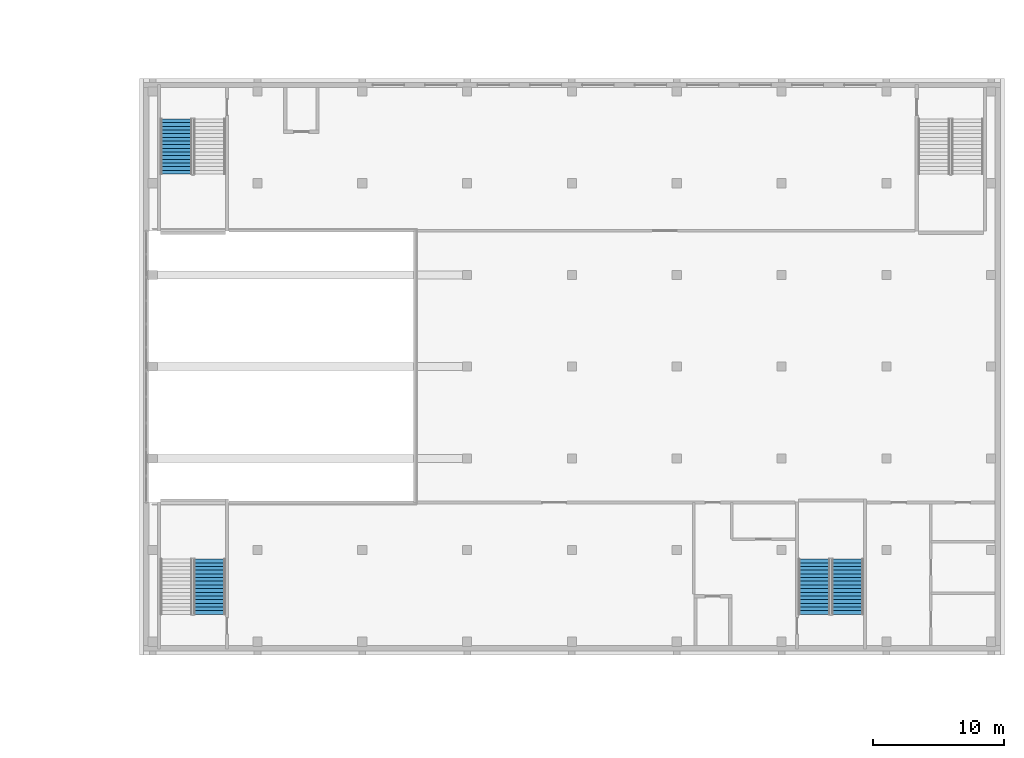
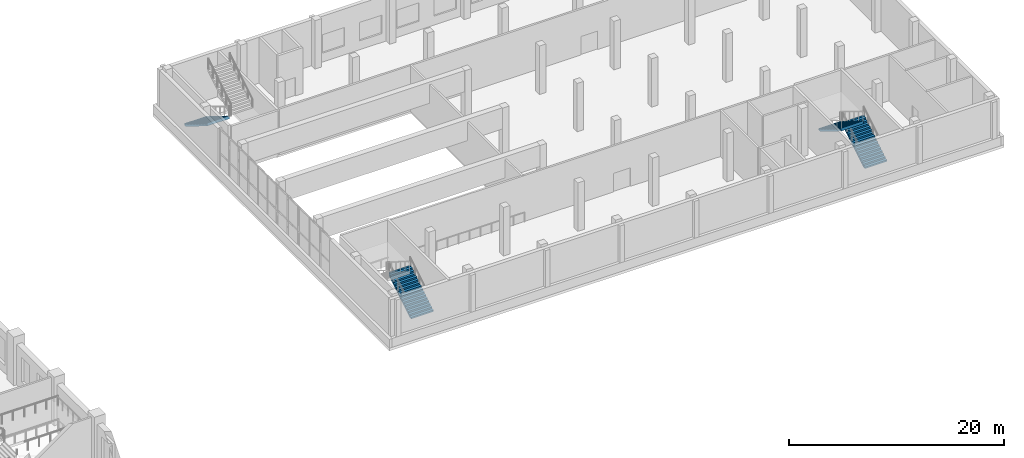
# One storey, part 22 of 35: 4 stair flights, 3 elements without a shape of their own.
"""IFC4 building model written with IfcOpenShell, lengths in metres."""

from ifc_helpers import new_model, si_unit, direction, frame, origin, place, context, subcontext, project, spatial, polyline, outline, extrude, material, type_object, element, aggregate, save


model = new_model("IFC4")

# Units and contexts
model_context = context("Model", 3, precision=1e-05, world=origin(), true_north=direction((0.0, 1.0)))
body_context = subcontext(model_context, "Body", "Model", "MODEL_VIEW")
ifc_project = project(units=[si_unit("LENGTHUNIT", "METRE"), si_unit("AREAUNIT", "SQUARE_METRE"), si_unit("VOLUMEUNIT", "CUBIC_METRE"), si_unit("PLANEANGLEUNIT", "RADIAN"), si_unit("MASSUNIT", "GRAM", prefix="KILO")], contexts=[model_context])

# Site, building, storey
site_placement = place(None, origin())
site = spatial("IfcSite", under=ifc_project, at=site_placement, CompositionType="ELEMENT")
building_placement = place(site_placement, origin())
building = spatial("IfcBuilding", under=site, at=building_placement, Name="Tamorin Gate", CompositionType="ELEMENT")
storey_placement = place(building_placement, frame((0.0, 0.0, 8.0)))
storey = spatial("IfcBuildingStorey", under=building, at=storey_placement, Name="L01", CompositionType="ELEMENT", Elevation=8.0)

# Stair, stair flight
ifc_material = material(Name="Concrete C40/50", Category="concrete")
stair_type = type_object("IfcStairType", Name="Museum exit stair 2400 C40/50", PredefinedType="HALF_TURN_STAIR", material=ifc_material)
stair_1_placement = place(storey_placement, origin())
stair_1 = element("IfcStair", 1, at=stair_1_placement, inside=storey, type_object=stair_type, Name="L01 PS6", PredefinedType="HALF_TURN_STAIR")
stair_flight_type = type_object("IfcStairFlightType", Name="Museum exit stair flight 2400 C40/50", PredefinedType="STRAIGHT", material=ifc_material)
stair_flight_1_placement = place(storey_placement, frame((147.5, 95.60009765625, 0.0), z_axis=(0.0, 0.0, 1.0), x_axis=(0.0, -1.0, 0.0)))
stair_flight_1 = element("IfcStairFlight", 2, at=stair_flight_1_placement, type_object=stair_flight_type, Name="PS6 flight 1", NumberOfRisers=16, NumberOfTreads=15, PredefinedType="STRAIGHT", RiserHeight=0.171875, TreadLength=0.28, context=body_context, shape_type="SweptSolid", body=[
    extrude(outline(polyline([(-0.00048828125, 0.0), (-0.00048828125, 0.001708984375), (-0.00048828125, 0.00341796875), (-0.00048828125, 0.005126953125), (-0.00048828125, 0.0068359375), (-0.00048828125, 0.008544921875), (-0.00048828125, 0.01025390625), (-0.00048828125, 0.011962890625), (-0.00048828125, 0.013671875), (-0.00048828125, 0.015380859375), (-0.00048828125, 0.01708984375), (-0.00048828125, 0.018798828125), (-0.00048828125, 0.0205078125), (-0.00048828125, 0.022216796875), (-0.00048828125, 0.02392578125), (-0.00048828125, 0.025634765625), (-0.00048828125, 0.02734375), (-0.00048828125, 0.02880859375), (-0.00048828125, 0.030517578125), (-0.00048828125, 0.0322265625), (-0.00048828125, 0.033935546875), (-0.00048828125, 0.03564453125), (-0.00048828125, 0.037353515625), (-0.00048828125, 0.0390625), (-0.00048828125, 0.040771484375), (-0.00048828125, 0.04248046875), (-0.00048828125, 0.044189453125), (-0.00048828125, 0.0458984375), (-0.00048828125, 0.047607421875), (-0.00048828125, 0.04931640625), (-0.00048828125, 0.051025390625), (-0.00048828125, 0.052734375), (-0.00048828125, 0.054443359375), (-0.00048828125, 0.05615234375), (-0.00048828125, 0.057861328125), (-0.00048828125, 0.0595703125), (-0.00048828125, 0.061279296875), (-0.00048828125, 0.06298828125), (-0.00048828125, 0.064697265625), (-0.00048828125, 0.06640625), (-0.00048828125, 0.068115234375), (-0.00048828125, 0.06982421875), (-0.00048828125, 0.071533203125), (-0.00048828125, 0.0732421875), (-0.00048828125, 0.074951171875), (-0.00048828125, 0.07666015625), (-0.00048828125, 0.078369140625), (-0.00048828125, 0.080078125), (-0.00048828125, 0.081787109375), (-0.00048828125, 0.08349609375), (-0.00048828125, 0.085205078125), (-0.00048828125, 0.086669921875), (-0.00048828125, 0.08837890625), (-0.00048828125, 0.090087890625), (-0.00048828125, 0.091796875), (-0.00048828125, 0.093505859375), (-0.00048828125, 0.09521484375), (-0.00048828125, 0.096923828125), (-0.00048828125, 0.0986328125), (-0.00048828125, 0.100341796875), (-0.00048828125, 0.10205078125), (-0.00048828125, 0.103759765625), (-0.00048828125, 0.10546875), (-0.00048828125, 0.107177734375), (-0.00048828125, 0.10888671875), (-0.00048828125, 0.110595703125), (-0.00048828125, 0.1123046875), (-0.00048828125, 0.114013671875), (-0.00048828125, 0.11572265625), (-0.00048828125, 0.117431640625), (-0.00048828125, 0.119140625), (-0.00048828125, 0.120849609375), (-0.00048828125, 0.12255859375), (-0.00048828125, 0.124267578125), (-0.00048828125, 0.1259765625), (-0.00048828125, 0.127685546875), (-0.00048828125, 0.12939453125), (-0.00048828125, 0.131103515625), (-0.00048828125, 0.1328125), (-0.00048828125, 0.134521484375), (-0.00048828125, 0.13623046875), (-0.00048828125, 0.137939453125), (-0.00048828125, 0.1396484375), (-0.00048828125, 0.141357421875), (-0.00048828125, 0.14306640625), (-0.00048828125, 0.14453125), (-0.00048828125, 0.146240234375), (-0.00048828125, 0.14794921875), (-0.00048828125, 0.149658203125), (-0.00048828125, 0.1513671875), (-0.00048828125, 0.153076171875), (-0.00048828125, 0.15478515625), (-0.00048828125, 0.156494140625), (-0.00048828125, 0.158203125), (-0.00048828125, 0.159912109375), (-0.00048828125, 0.16162109375), (-0.00048828125, 0.163330078125), (-0.00048828125, 0.1650390625), (-0.00048828125, 0.166748046875), (-0.00048828125, 0.16845703125), (-0.00048828125, 0.170166015625), (-0.00048828125, 0.171875), (0.280029296875, 0.171875), (0.280029296875, 0.34375), (0.56005859375, 0.34375), (0.56005859375, 0.515625), (0.840087890625, 0.515625), (0.840087890625, 0.6875), (1.1201171875, 0.6875), (1.1201171875, 0.859375), (1.39990234375, 0.859375), (1.39990234375, 1.03125), (1.679931640625, 1.03125), (1.679931640625, 1.203125), (1.9599609375, 1.203125), (1.9599609375, 1.375), (2.239990234375, 1.375), (2.239990234375, 1.546875), (2.52001953125, 1.546875), (2.52001953125, 1.71875), (2.800048828125, 1.71875), (2.800048828125, 1.890625), (3.080078125, 1.890625), (3.080078125, 2.0625), (3.360107421875, 2.0625), (3.360107421875, 2.234375), (3.639892578125, 2.234375), (3.639892578125, 2.40625), (3.919921875, 2.40625), (3.919921875, 2.578125), (4.199951171875, 2.578125), (4.199951171875, 2.75), (4.200439453125, 2.75), (4.200439453125, 2.74658203125), (4.200439453125, 2.7431640625), (4.200439453125, 2.73974609375), (4.200439453125, 2.736328125), (4.200439453125, 2.732666015625), (4.200439453125, 2.729248046875), (4.200439453125, 2.725830078125), (4.200439453125, 2.722412109375), (4.200439453125, 2.718994140625), (4.200439453125, 2.715576171875), (4.200439453125, 2.712158203125), (4.200439453125, 2.708740234375), (4.200439453125, 2.705322265625), (4.200439453125, 2.701904296875), (4.200439453125, 2.6982421875), (4.200439453125, 2.69482421875), (4.200439453125, 2.69140625), (4.200439453125, 2.68798828125), (4.200439453125, 2.6845703125), (4.200439453125, 2.68115234375), (4.200439453125, 2.677734375), (4.200439453125, 2.67431640625), (4.200439453125, 2.6708984375), (4.200439453125, 2.66748046875), (4.200439453125, 2.663818359375), (4.200439453125, 2.660400390625), (4.200439453125, 2.656982421875), (4.200439453125, 2.653564453125), (4.200439453125, 2.650146484375), (4.200439453125, 2.646728515625), (4.200439453125, 2.643310546875), (4.200439453125, 2.639892578125), (4.200439453125, 2.636474609375), (4.200439453125, 2.6328125), (4.200439453125, 2.62939453125), (4.200439453125, 2.6259765625), (4.200439453125, 2.62255859375), (4.200439453125, 2.619140625), (4.200439453125, 2.61572265625), (4.200439453125, 2.6123046875), (4.200439453125, 2.60888671875), (4.200439453125, 2.60546875), (4.200439453125, 2.60205078125), (4.200439453125, 2.598388671875), (4.200439453125, 2.594970703125), (4.200439453125, 2.591552734375), (4.200439453125, 2.588134765625), (4.200439453125, 2.584716796875), (4.200439453125, 2.581298828125), (4.200439453125, 2.577880859375), (4.200439453125, 2.574462890625), (4.200439453125, 2.571044921875), (4.200439453125, 2.567626953125), (4.200439453125, 2.56396484375), (4.200439453125, 2.560546875), (4.200439453125, 2.55712890625), (4.200439453125, 2.5537109375), (4.200439453125, 2.55029296875), (4.200439453125, 2.546875), (4.200439453125, 2.54345703125), (4.200439453125, 2.5400390625), (4.200439453125, 2.53662109375), (4.200439453125, 2.532958984375), (4.200439453125, 2.529541015625), (4.200439453125, 2.526123046875), (4.200439453125, 2.522705078125), (4.200439453125, 2.519287109375), (4.200439453125, 2.515869140625), (4.200439453125, 2.512451171875), (4.200439453125, 2.509033203125), (4.200439453125, 2.505615234375), (4.200439453125, 2.502197265625), (4.200439453125, 2.49853515625), (4.200439453125, 2.4951171875), (4.200439453125, 2.49169921875), (4.200439453125, 2.48828125), (4.200439453125, 2.48486328125), (4.200439453125, 2.4814453125), (4.200439453125, 2.47802734375), (4.200439453125, 2.474609375), (4.200439453125, 2.47119140625), (4.200439453125, 2.4677734375), (4.200439453125, 2.464111328125), (4.200439453125, 2.460693359375), (4.200439453125, 2.457275390625), (4.200439453125, 2.453857421875), (4.200439453125, 2.450439453125), (4.200439453125, 2.447021484375), (4.200439453125, 2.443603515625), (4.200439453125, 2.440185546875), (4.200439453125, 2.436767578125), (4.200439453125, 2.43310546875), (4.200439453125, 2.4296875), (4.200439453125, 2.42626953125), (4.200439453125, 2.4228515625), (4.200439453125, 2.41943359375), (4.200439453125, 2.416015625), (4.200439453125, 2.41259765625), (4.200439453125, 2.4091796875), (4.200439453125, 2.40576171875), (4.200439453125, 2.40234375), (4.199951171875, 2.40234375), (0.28662109375, 0.0), (-0.00048828125, 0.0)])), frame((0.0, 1.199951171875, 0.0), z_axis=(0.0, -1.0, 0.0), x_axis=(1.0, 0.0, 0.0)), (0.0, 0.0, 1.0), 2.39990234375),
])
aggregate(stair_1, [stair_flight_1])

# Stair, stair flights
stair_2_placement = place(storey_placement, origin())
stair_2 = element("IfcStair", 3, at=stair_2_placement, inside=storey, type_object=stair_type, Name="L01 PS7", PredefinedType="HALF_TURN_STAIR")
stair_flight_2_placement = place(storey_placement, frame((198.75, 57.800048828125, 0.0), z_axis=(0.0, 0.0, 1.0), x_axis=(0.0, 1.0, 0.0)))
stair_flight_2 = element("IfcStairFlight", 4, at=stair_flight_2_placement, type_object=stair_flight_type, Name="PS7 flight 1", NumberOfRisers=16, NumberOfTreads=15, PredefinedType="STRAIGHT", RiserHeight=0.171875, TreadLength=0.28, context=body_context, shape_type="SweptSolid", body=[
    extrude(outline(polyline([(-0.00048828125, 0.0), (-0.00048828125, 0.001708984375), (-0.00048828125, 0.00341796875), (-0.00048828125, 0.005126953125), (-0.00048828125, 0.0068359375), (-0.00048828125, 0.008544921875), (-0.00048828125, 0.01025390625), (-0.00048828125, 0.011962890625), (-0.00048828125, 0.013671875), (-0.00048828125, 0.015380859375), (-0.00048828125, 0.01708984375), (-0.00048828125, 0.018798828125), (-0.00048828125, 0.0205078125), (-0.00048828125, 0.022216796875), (-0.00048828125, 0.02392578125), (-0.00048828125, 0.025634765625), (-0.00048828125, 0.02734375), (-0.00048828125, 0.02880859375), (-0.00048828125, 0.030517578125), (-0.00048828125, 0.0322265625), (-0.00048828125, 0.033935546875), (-0.00048828125, 0.03564453125), (-0.00048828125, 0.037353515625), (-0.00048828125, 0.0390625), (-0.00048828125, 0.040771484375), (-0.00048828125, 0.04248046875), (-0.00048828125, 0.044189453125), (-0.00048828125, 0.0458984375), (-0.00048828125, 0.047607421875), (-0.00048828125, 0.04931640625), (-0.00048828125, 0.051025390625), (-0.00048828125, 0.052734375), (-0.00048828125, 0.054443359375), (-0.00048828125, 0.05615234375), (-0.00048828125, 0.057861328125), (-0.00048828125, 0.0595703125), (-0.00048828125, 0.061279296875), (-0.00048828125, 0.06298828125), (-0.00048828125, 0.064697265625), (-0.00048828125, 0.06640625), (-0.00048828125, 0.068115234375), (-0.00048828125, 0.06982421875), (-0.00048828125, 0.071533203125), (-0.00048828125, 0.0732421875), (-0.00048828125, 0.074951171875), (-0.00048828125, 0.07666015625), (-0.00048828125, 0.078369140625), (-0.00048828125, 0.080078125), (-0.00048828125, 0.081787109375), (-0.00048828125, 0.08349609375), (-0.00048828125, 0.085205078125), (-0.00048828125, 0.086669921875), (-0.00048828125, 0.08837890625), (-0.00048828125, 0.090087890625), (-0.00048828125, 0.091796875), (-0.00048828125, 0.093505859375), (-0.00048828125, 0.09521484375), (-0.00048828125, 0.096923828125), (-0.00048828125, 0.0986328125), (-0.00048828125, 0.100341796875), (-0.00048828125, 0.10205078125), (-0.00048828125, 0.103759765625), (-0.00048828125, 0.10546875), (-0.00048828125, 0.107177734375), (-0.00048828125, 0.10888671875), (-0.00048828125, 0.110595703125), (-0.00048828125, 0.1123046875), (-0.00048828125, 0.114013671875), (-0.00048828125, 0.11572265625), (-0.00048828125, 0.117431640625), (-0.00048828125, 0.119140625), (-0.00048828125, 0.120849609375), (-0.00048828125, 0.12255859375), (-0.00048828125, 0.124267578125), (-0.00048828125, 0.1259765625), (-0.00048828125, 0.127685546875), (-0.00048828125, 0.12939453125), (-0.00048828125, 0.131103515625), (-0.00048828125, 0.1328125), (-0.00048828125, 0.134521484375), (-0.00048828125, 0.13623046875), (-0.00048828125, 0.137939453125), (-0.00048828125, 0.1396484375), (-0.00048828125, 0.141357421875), (-0.00048828125, 0.14306640625), (-0.00048828125, 0.14453125), (-0.00048828125, 0.146240234375), (-0.00048828125, 0.14794921875), (-0.00048828125, 0.149658203125), (-0.00048828125, 0.1513671875), (-0.00048828125, 0.153076171875), (-0.00048828125, 0.15478515625), (-0.00048828125, 0.156494140625), (-0.00048828125, 0.158203125), (-0.00048828125, 0.159912109375), (-0.00048828125, 0.16162109375), (-0.00048828125, 0.163330078125), (-0.00048828125, 0.1650390625), (-0.00048828125, 0.166748046875), (-0.00048828125, 0.16845703125), (-0.00048828125, 0.170166015625), (-0.00048828125, 0.171875), (0.280029296875, 0.171875), (0.280029296875, 0.34375), (0.56005859375, 0.34375), (0.56005859375, 0.515625), (0.840087890625, 0.515625), (0.840087890625, 0.6875), (1.1201171875, 0.6875), (1.1201171875, 0.859375), (1.39990234375, 0.859375), (1.39990234375, 1.03125), (1.679931640625, 1.03125), (1.679931640625, 1.203125), (1.9599609375, 1.203125), (1.9599609375, 1.375), (2.239990234375, 1.375), (2.239990234375, 1.546875), (2.52001953125, 1.546875), (2.52001953125, 1.71875), (2.800048828125, 1.71875), (2.800048828125, 1.890625), (3.080078125, 1.890625), (3.080078125, 2.0625), (3.360107421875, 2.0625), (3.360107421875, 2.234375), (3.639892578125, 2.234375), (3.639892578125, 2.40625), (3.919921875, 2.40625), (3.919921875, 2.578125), (4.199951171875, 2.578125), (4.199951171875, 2.75), (4.200439453125, 2.75), (4.200439453125, 2.74658203125), (4.200439453125, 2.7431640625), (4.200439453125, 2.73974609375), (4.200439453125, 2.736328125), (4.200439453125, 2.732666015625), (4.200439453125, 2.729248046875), (4.200439453125, 2.725830078125), (4.200439453125, 2.722412109375), (4.200439453125, 2.718994140625), (4.200439453125, 2.715576171875), (4.200439453125, 2.712158203125), (4.200439453125, 2.708740234375), (4.200439453125, 2.705322265625), (4.200439453125, 2.701904296875), (4.200439453125, 2.6982421875), (4.200439453125, 2.69482421875), (4.200439453125, 2.69140625), (4.200439453125, 2.68798828125), (4.200439453125, 2.6845703125), (4.200439453125, 2.68115234375), (4.200439453125, 2.677734375), (4.200439453125, 2.67431640625), (4.200439453125, 2.6708984375), (4.200439453125, 2.66748046875), (4.200439453125, 2.663818359375), (4.200439453125, 2.660400390625), (4.200439453125, 2.656982421875), (4.200439453125, 2.653564453125), (4.200439453125, 2.650146484375), (4.200439453125, 2.646728515625), (4.200439453125, 2.643310546875), (4.200439453125, 2.639892578125), (4.200439453125, 2.636474609375), (4.200439453125, 2.6328125), (4.200439453125, 2.62939453125), (4.200439453125, 2.6259765625), (4.200439453125, 2.62255859375), (4.200439453125, 2.619140625), (4.200439453125, 2.61572265625), (4.200439453125, 2.6123046875), (4.200439453125, 2.60888671875), (4.200439453125, 2.60546875), (4.200439453125, 2.60205078125), (4.200439453125, 2.598388671875), (4.200439453125, 2.594970703125), (4.200439453125, 2.591552734375), (4.200439453125, 2.588134765625), (4.200439453125, 2.584716796875), (4.200439453125, 2.581298828125), (4.200439453125, 2.577880859375), (4.200439453125, 2.574462890625), (4.200439453125, 2.571044921875), (4.200439453125, 2.567626953125), (4.200439453125, 2.56396484375), (4.200439453125, 2.560546875), (4.200439453125, 2.55712890625), (4.200439453125, 2.5537109375), (4.200439453125, 2.55029296875), (4.200439453125, 2.546875), (4.200439453125, 2.54345703125), (4.200439453125, 2.5400390625), (4.200439453125, 2.53662109375), (4.200439453125, 2.532958984375), (4.200439453125, 2.529541015625), (4.200439453125, 2.526123046875), (4.200439453125, 2.522705078125), (4.200439453125, 2.519287109375), (4.200439453125, 2.515869140625), (4.200439453125, 2.512451171875), (4.200439453125, 2.509033203125), (4.200439453125, 2.505615234375), (4.200439453125, 2.502197265625), (4.200439453125, 2.49853515625), (4.200439453125, 2.4951171875), (4.200439453125, 2.49169921875), (4.200439453125, 2.48828125), (4.200439453125, 2.48486328125), (4.200439453125, 2.4814453125), (4.200439453125, 2.47802734375), (4.200439453125, 2.474609375), (4.200439453125, 2.47119140625), (4.200439453125, 2.4677734375), (4.200439453125, 2.464111328125), (4.200439453125, 2.460693359375), (4.200439453125, 2.457275390625), (4.200439453125, 2.453857421875), (4.200439453125, 2.450439453125), (4.200439453125, 2.447021484375), (4.200439453125, 2.443603515625), (4.200439453125, 2.440185546875), (4.200439453125, 2.436767578125), (4.200439453125, 2.43310546875), (4.200439453125, 2.4296875), (4.200439453125, 2.42626953125), (4.200439453125, 2.4228515625), (4.200439453125, 2.41943359375), (4.200439453125, 2.416015625), (4.200439453125, 2.41259765625), (4.200439453125, 2.4091796875), (4.200439453125, 2.40576171875), (4.200439453125, 2.40234375), (4.199951171875, 2.40234375), (0.28662109375, 0.0), (-0.00048828125, 0.0)])), frame((0.0, 1.199951171875, 0.0), z_axis=(0.0, -1.0, 0.0), x_axis=(1.0, 0.0, 0.0)), (0.0, 0.0, 1.0), 2.39990234375),
])
stair_flight_3_placement = place(storey_placement, frame((196.199951171875, 62.0, 2.75), z_axis=(0.0, 0.0, 1.0), x_axis=(0.0, -1.0, 0.0)))
stair_flight_3 = element("IfcStairFlight", 5, at=stair_flight_3_placement, type_object=stair_flight_type, Name="PS7 flight 2", NumberOfRisers=16, NumberOfTreads=15, PredefinedType="STRAIGHT", RiserHeight=0.171875, TreadLength=0.28, context=body_context, shape_type="SweptSolid", body=[
    extrude(outline(polyline([(-0.00048828125, 0.0), (-0.00048828125, 0.001708984375), (-0.00048828125, 0.00341796875), (-0.00048828125, 0.005126953125), (-0.00048828125, 0.0068359375), (-0.00048828125, 0.008544921875), (-0.00048828125, 0.01025390625), (-0.00048828125, 0.011962890625), (-0.00048828125, 0.013671875), (-0.00048828125, 0.015380859375), (-0.00048828125, 0.01708984375), (-0.00048828125, 0.018798828125), (-0.00048828125, 0.0205078125), (-0.00048828125, 0.022216796875), (-0.00048828125, 0.02392578125), (-0.00048828125, 0.025634765625), (-0.00048828125, 0.02734375), (-0.00048828125, 0.02880859375), (-0.00048828125, 0.030517578125), (-0.00048828125, 0.0322265625), (-0.00048828125, 0.033935546875), (-0.00048828125, 0.03564453125), (-0.00048828125, 0.037353515625), (-0.00048828125, 0.0390625), (-0.00048828125, 0.040771484375), (-0.00048828125, 0.04248046875), (-0.00048828125, 0.044189453125), (-0.00048828125, 0.0458984375), (-0.00048828125, 0.047607421875), (-0.00048828125, 0.04931640625), (-0.00048828125, 0.051025390625), (-0.00048828125, 0.052734375), (-0.00048828125, 0.054443359375), (-0.00048828125, 0.05615234375), (-0.00048828125, 0.057861328125), (-0.00048828125, 0.0595703125), (-0.00048828125, 0.061279296875), (-0.00048828125, 0.06298828125), (-0.00048828125, 0.064697265625), (-0.00048828125, 0.06640625), (-0.00048828125, 0.068115234375), (-0.00048828125, 0.06982421875), (-0.00048828125, 0.071533203125), (-0.00048828125, 0.0732421875), (-0.00048828125, 0.074951171875), (-0.00048828125, 0.07666015625), (-0.00048828125, 0.078369140625), (-0.00048828125, 0.080078125), (-0.00048828125, 0.081787109375), (-0.00048828125, 0.08349609375), (-0.00048828125, 0.085205078125), (-0.00048828125, 0.086669921875), (-0.00048828125, 0.08837890625), (-0.00048828125, 0.090087890625), (-0.00048828125, 0.091796875), (-0.00048828125, 0.093505859375), (-0.00048828125, 0.09521484375), (-0.00048828125, 0.096923828125), (-0.00048828125, 0.0986328125), (-0.00048828125, 0.100341796875), (-0.00048828125, 0.10205078125), (-0.00048828125, 0.103759765625), (-0.00048828125, 0.10546875), (-0.00048828125, 0.107177734375), (-0.00048828125, 0.10888671875), (-0.00048828125, 0.110595703125), (-0.00048828125, 0.1123046875), (-0.00048828125, 0.114013671875), (-0.00048828125, 0.11572265625), (-0.00048828125, 0.117431640625), (-0.00048828125, 0.119140625), (-0.00048828125, 0.120849609375), (-0.00048828125, 0.12255859375), (-0.00048828125, 0.124267578125), (-0.00048828125, 0.1259765625), (-0.00048828125, 0.127685546875), (-0.00048828125, 0.12939453125), (-0.00048828125, 0.131103515625), (-0.00048828125, 0.1328125), (-0.00048828125, 0.134521484375), (-0.00048828125, 0.13623046875), (-0.00048828125, 0.137939453125), (-0.00048828125, 0.1396484375), (-0.00048828125, 0.141357421875), (-0.00048828125, 0.14306640625), (-0.00048828125, 0.14453125), (-0.00048828125, 0.146240234375), (-0.00048828125, 0.14794921875), (-0.00048828125, 0.149658203125), (-0.00048828125, 0.1513671875), (-0.00048828125, 0.153076171875), (-0.00048828125, 0.15478515625), (-0.00048828125, 0.156494140625), (-0.00048828125, 0.158203125), (-0.00048828125, 0.159912109375), (-0.00048828125, 0.16162109375), (-0.00048828125, 0.163330078125), (-0.00048828125, 0.1650390625), (-0.00048828125, 0.166748046875), (-0.00048828125, 0.16845703125), (-0.00048828125, 0.170166015625), (-0.00048828125, 0.171875), (0.280029296875, 0.171875), (0.280029296875, 0.34375), (0.56005859375, 0.34375), (0.56005859375, 0.515625), (0.840087890625, 0.515625), (0.840087890625, 0.6875), (1.1201171875, 0.6875), (1.1201171875, 0.859375), (1.39990234375, 0.859375), (1.39990234375, 1.03125), (1.679931640625, 1.03125), (1.679931640625, 1.203125), (1.9599609375, 1.203125), (1.9599609375, 1.375), (2.239990234375, 1.375), (2.239990234375, 1.546875), (2.52001953125, 1.546875), (2.52001953125, 1.71875), (2.800048828125, 1.71875), (2.800048828125, 1.890625), (3.080078125, 1.890625), (3.080078125, 2.0625), (3.360107421875, 2.0625), (3.360107421875, 2.234375), (3.639892578125, 2.234375), (3.639892578125, 2.40625), (3.919921875, 2.40625), (3.919921875, 2.578125), (4.199951171875, 2.578125), (4.199951171875, 2.75), (4.200439453125, 2.75), (4.200439453125, 2.74658203125), (4.200439453125, 2.7431640625), (4.200439453125, 2.73974609375), (4.200439453125, 2.736328125), (4.200439453125, 2.732666015625), (4.200439453125, 2.729248046875), (4.200439453125, 2.725830078125), (4.200439453125, 2.722412109375), (4.200439453125, 2.718994140625), (4.200439453125, 2.715576171875), (4.200439453125, 2.712158203125), (4.200439453125, 2.708740234375), (4.200439453125, 2.705322265625), (4.200439453125, 2.701904296875), (4.200439453125, 2.6982421875), (4.200439453125, 2.69482421875), (4.200439453125, 2.69140625), (4.200439453125, 2.68798828125), (4.200439453125, 2.6845703125), (4.200439453125, 2.68115234375), (4.200439453125, 2.677734375), (4.200439453125, 2.67431640625), (4.200439453125, 2.6708984375), (4.200439453125, 2.66748046875), (4.200439453125, 2.663818359375), (4.200439453125, 2.660400390625), (4.200439453125, 2.656982421875), (4.200439453125, 2.653564453125), (4.200439453125, 2.650146484375), (4.200439453125, 2.646728515625), (4.200439453125, 2.643310546875), (4.200439453125, 2.639892578125), (4.200439453125, 2.636474609375), (4.200439453125, 2.6328125), (4.200439453125, 2.62939453125), (4.200439453125, 2.6259765625), (4.200439453125, 2.62255859375), (4.200439453125, 2.619140625), (4.200439453125, 2.61572265625), (4.200439453125, 2.6123046875), (4.200439453125, 2.60888671875), (4.200439453125, 2.60546875), (4.200439453125, 2.60205078125), (4.200439453125, 2.598388671875), (4.200439453125, 2.594970703125), (4.200439453125, 2.591552734375), (4.200439453125, 2.588134765625), (4.200439453125, 2.584716796875), (4.200439453125, 2.581298828125), (4.200439453125, 2.577880859375), (4.200439453125, 2.574462890625), (4.200439453125, 2.571044921875), (4.200439453125, 2.567626953125), (4.200439453125, 2.56396484375), (4.200439453125, 2.560546875), (4.200439453125, 2.55712890625), (4.200439453125, 2.5537109375), (4.200439453125, 2.55029296875), (4.200439453125, 2.546875), (4.200439453125, 2.54345703125), (4.200439453125, 2.5400390625), (4.200439453125, 2.53662109375), (4.200439453125, 2.532958984375), (4.200439453125, 2.529541015625), (4.200439453125, 2.526123046875), (4.200439453125, 2.522705078125), (4.200439453125, 2.519287109375), (4.200439453125, 2.515869140625), (4.200439453125, 2.512451171875), (4.200439453125, 2.509033203125), (4.200439453125, 2.505615234375), (4.200439453125, 2.502197265625), (4.200439453125, 2.49853515625), (4.200439453125, 2.4951171875), (4.200439453125, 2.49169921875), (4.200439453125, 2.48828125), (4.200439453125, 2.48486328125), (4.200439453125, 2.4814453125), (4.200439453125, 2.47802734375), (4.200439453125, 2.474609375), (4.200439453125, 2.47119140625), (4.200439453125, 2.4677734375), (4.200439453125, 2.464111328125), (4.200439453125, 2.460693359375), (4.200439453125, 2.457275390625), (4.200439453125, 2.453857421875), (4.200439453125, 2.450439453125), (4.200439453125, 2.447021484375), (4.200439453125, 2.443603515625), (4.200439453125, 2.440185546875), (4.200439453125, 2.436767578125), (4.200439453125, 2.43310546875), (4.200439453125, 2.4296875), (4.200439453125, 2.42626953125), (4.200439453125, 2.4228515625), (4.200439453125, 2.41943359375), (4.200439453125, 2.416015625), (4.200439453125, 2.41259765625), (4.200439453125, 2.4091796875), (4.200439453125, 2.40576171875), (4.200439453125, 2.40234375), (4.199951171875, 2.40234375), (0.28662109375, 0.0), (-0.00048828125, 0.0)])), frame((0.0, 1.199951171875, 0.0), z_axis=(0.0, -1.0, 0.0), x_axis=(1.0, 0.0, 0.0)), (0.0, 0.0, 1.0), 2.39990234375),
])
aggregate(stair_2, [stair_flight_2, stair_flight_3])

# Stair, stair flight
stair_3_placement = place(storey_placement, origin())
stair_3 = element("IfcStair", 6, at=stair_3_placement, inside=storey, type_object=stair_type, Name="L01 PS8", PredefinedType="HALF_TURN_STAIR")
stair_flight_4_placement = place(storey_placement, frame((150.050048828125, 57.800048828125, 0.0), z_axis=(0.0, 0.0, 1.0), x_axis=(0.0, 1.0, 0.0)))
stair_flight_4 = element("IfcStairFlight", 7, at=stair_flight_4_placement, type_object=stair_flight_type, Name="PS8 flight 1", NumberOfRisers=16, NumberOfTreads=15, PredefinedType="STRAIGHT", RiserHeight=0.171875, TreadLength=0.28, context=body_context, shape_type="SweptSolid", body=[
    extrude(outline(polyline([(-0.00048828125, 0.0), (-0.00048828125, 0.001708984375), (-0.00048828125, 0.00341796875), (-0.00048828125, 0.005126953125), (-0.00048828125, 0.0068359375), (-0.00048828125, 0.008544921875), (-0.00048828125, 0.01025390625), (-0.00048828125, 0.011962890625), (-0.00048828125, 0.013671875), (-0.00048828125, 0.015380859375), (-0.00048828125, 0.01708984375), (-0.00048828125, 0.018798828125), (-0.00048828125, 0.0205078125), (-0.00048828125, 0.022216796875), (-0.00048828125, 0.02392578125), (-0.00048828125, 0.025634765625), (-0.00048828125, 0.02734375), (-0.00048828125, 0.02880859375), (-0.00048828125, 0.030517578125), (-0.00048828125, 0.0322265625), (-0.00048828125, 0.033935546875), (-0.00048828125, 0.03564453125), (-0.00048828125, 0.037353515625), (-0.00048828125, 0.0390625), (-0.00048828125, 0.040771484375), (-0.00048828125, 0.04248046875), (-0.00048828125, 0.044189453125), (-0.00048828125, 0.0458984375), (-0.00048828125, 0.047607421875), (-0.00048828125, 0.04931640625), (-0.00048828125, 0.051025390625), (-0.00048828125, 0.052734375), (-0.00048828125, 0.054443359375), (-0.00048828125, 0.05615234375), (-0.00048828125, 0.057861328125), (-0.00048828125, 0.0595703125), (-0.00048828125, 0.061279296875), (-0.00048828125, 0.06298828125), (-0.00048828125, 0.064697265625), (-0.00048828125, 0.06640625), (-0.00048828125, 0.068115234375), (-0.00048828125, 0.06982421875), (-0.00048828125, 0.071533203125), (-0.00048828125, 0.0732421875), (-0.00048828125, 0.074951171875), (-0.00048828125, 0.07666015625), (-0.00048828125, 0.078369140625), (-0.00048828125, 0.080078125), (-0.00048828125, 0.081787109375), (-0.00048828125, 0.08349609375), (-0.00048828125, 0.085205078125), (-0.00048828125, 0.086669921875), (-0.00048828125, 0.08837890625), (-0.00048828125, 0.090087890625), (-0.00048828125, 0.091796875), (-0.00048828125, 0.093505859375), (-0.00048828125, 0.09521484375), (-0.00048828125, 0.096923828125), (-0.00048828125, 0.0986328125), (-0.00048828125, 0.100341796875), (-0.00048828125, 0.10205078125), (-0.00048828125, 0.103759765625), (-0.00048828125, 0.10546875), (-0.00048828125, 0.107177734375), (-0.00048828125, 0.10888671875), (-0.00048828125, 0.110595703125), (-0.00048828125, 0.1123046875), (-0.00048828125, 0.114013671875), (-0.00048828125, 0.11572265625), (-0.00048828125, 0.117431640625), (-0.00048828125, 0.119140625), (-0.00048828125, 0.120849609375), (-0.00048828125, 0.12255859375), (-0.00048828125, 0.124267578125), (-0.00048828125, 0.1259765625), (-0.00048828125, 0.127685546875), (-0.00048828125, 0.12939453125), (-0.00048828125, 0.131103515625), (-0.00048828125, 0.1328125), (-0.00048828125, 0.134521484375), (-0.00048828125, 0.13623046875), (-0.00048828125, 0.137939453125), (-0.00048828125, 0.1396484375), (-0.00048828125, 0.141357421875), (-0.00048828125, 0.14306640625), (-0.00048828125, 0.14453125), (-0.00048828125, 0.146240234375), (-0.00048828125, 0.14794921875), (-0.00048828125, 0.149658203125), (-0.00048828125, 0.1513671875), (-0.00048828125, 0.153076171875), (-0.00048828125, 0.15478515625), (-0.00048828125, 0.156494140625), (-0.00048828125, 0.158203125), (-0.00048828125, 0.159912109375), (-0.00048828125, 0.16162109375), (-0.00048828125, 0.163330078125), (-0.00048828125, 0.1650390625), (-0.00048828125, 0.166748046875), (-0.00048828125, 0.16845703125), (-0.00048828125, 0.170166015625), (-0.00048828125, 0.171875), (0.280029296875, 0.171875), (0.280029296875, 0.34375), (0.56005859375, 0.34375), (0.56005859375, 0.515625), (0.840087890625, 0.515625), (0.840087890625, 0.6875), (1.1201171875, 0.6875), (1.1201171875, 0.859375), (1.39990234375, 0.859375), (1.39990234375, 1.03125), (1.679931640625, 1.03125), (1.679931640625, 1.203125), (1.9599609375, 1.203125), (1.9599609375, 1.375), (2.239990234375, 1.375), (2.239990234375, 1.546875), (2.52001953125, 1.546875), (2.52001953125, 1.71875), (2.800048828125, 1.71875), (2.800048828125, 1.890625), (3.080078125, 1.890625), (3.080078125, 2.0625), (3.360107421875, 2.0625), (3.360107421875, 2.234375), (3.639892578125, 2.234375), (3.639892578125, 2.40625), (3.919921875, 2.40625), (3.919921875, 2.578125), (4.199951171875, 2.578125), (4.199951171875, 2.75), (4.200439453125, 2.75), (4.200439453125, 2.74658203125), (4.200439453125, 2.7431640625), (4.200439453125, 2.73974609375), (4.200439453125, 2.736328125), (4.200439453125, 2.732666015625), (4.200439453125, 2.729248046875), (4.200439453125, 2.725830078125), (4.200439453125, 2.722412109375), (4.200439453125, 2.718994140625), (4.200439453125, 2.715576171875), (4.200439453125, 2.712158203125), (4.200439453125, 2.708740234375), (4.200439453125, 2.705322265625), (4.200439453125, 2.701904296875), (4.200439453125, 2.6982421875), (4.200439453125, 2.69482421875), (4.200439453125, 2.69140625), (4.200439453125, 2.68798828125), (4.200439453125, 2.6845703125), (4.200439453125, 2.68115234375), (4.200439453125, 2.677734375), (4.200439453125, 2.67431640625), (4.200439453125, 2.6708984375), (4.200439453125, 2.66748046875), (4.200439453125, 2.663818359375), (4.200439453125, 2.660400390625), (4.200439453125, 2.656982421875), (4.200439453125, 2.653564453125), (4.200439453125, 2.650146484375), (4.200439453125, 2.646728515625), (4.200439453125, 2.643310546875), (4.200439453125, 2.639892578125), (4.200439453125, 2.636474609375), (4.200439453125, 2.6328125), (4.200439453125, 2.62939453125), (4.200439453125, 2.6259765625), (4.200439453125, 2.62255859375), (4.200439453125, 2.619140625), (4.200439453125, 2.61572265625), (4.200439453125, 2.6123046875), (4.200439453125, 2.60888671875), (4.200439453125, 2.60546875), (4.200439453125, 2.60205078125), (4.200439453125, 2.598388671875), (4.200439453125, 2.594970703125), (4.200439453125, 2.591552734375), (4.200439453125, 2.588134765625), (4.200439453125, 2.584716796875), (4.200439453125, 2.581298828125), (4.200439453125, 2.577880859375), (4.200439453125, 2.574462890625), (4.200439453125, 2.571044921875), (4.200439453125, 2.567626953125), (4.200439453125, 2.56396484375), (4.200439453125, 2.560546875), (4.200439453125, 2.55712890625), (4.200439453125, 2.5537109375), (4.200439453125, 2.55029296875), (4.200439453125, 2.546875), (4.200439453125, 2.54345703125), (4.200439453125, 2.5400390625), (4.200439453125, 2.53662109375), (4.200439453125, 2.532958984375), (4.200439453125, 2.529541015625), (4.200439453125, 2.526123046875), (4.200439453125, 2.522705078125), (4.200439453125, 2.519287109375), (4.200439453125, 2.515869140625), (4.200439453125, 2.512451171875), (4.200439453125, 2.509033203125), (4.200439453125, 2.505615234375), (4.200439453125, 2.502197265625), (4.200439453125, 2.49853515625), (4.200439453125, 2.4951171875), (4.200439453125, 2.49169921875), (4.200439453125, 2.48828125), (4.200439453125, 2.48486328125), (4.200439453125, 2.4814453125), (4.200439453125, 2.47802734375), (4.200439453125, 2.474609375), (4.200439453125, 2.47119140625), (4.200439453125, 2.4677734375), (4.200439453125, 2.464111328125), (4.200439453125, 2.460693359375), (4.200439453125, 2.457275390625), (4.200439453125, 2.453857421875), (4.200439453125, 2.450439453125), (4.200439453125, 2.447021484375), (4.200439453125, 2.443603515625), (4.200439453125, 2.440185546875), (4.200439453125, 2.436767578125), (4.200439453125, 2.43310546875), (4.200439453125, 2.4296875), (4.200439453125, 2.42626953125), (4.200439453125, 2.4228515625), (4.200439453125, 2.41943359375), (4.200439453125, 2.416015625), (4.200439453125, 2.41259765625), (4.200439453125, 2.4091796875), (4.200439453125, 2.40576171875), (4.200439453125, 2.40234375), (4.199951171875, 2.40234375), (0.28662109375, 0.0), (-0.00048828125, 0.0)])), frame((0.0, 1.199951171875, 0.0), z_axis=(0.0, -1.0, 0.0), x_axis=(1.0, 0.0, 0.0)), (0.0, 0.0, 1.0), 2.39990234375),
])
aggregate(stair_3, [stair_flight_4])

save(model, "model.ifc")
